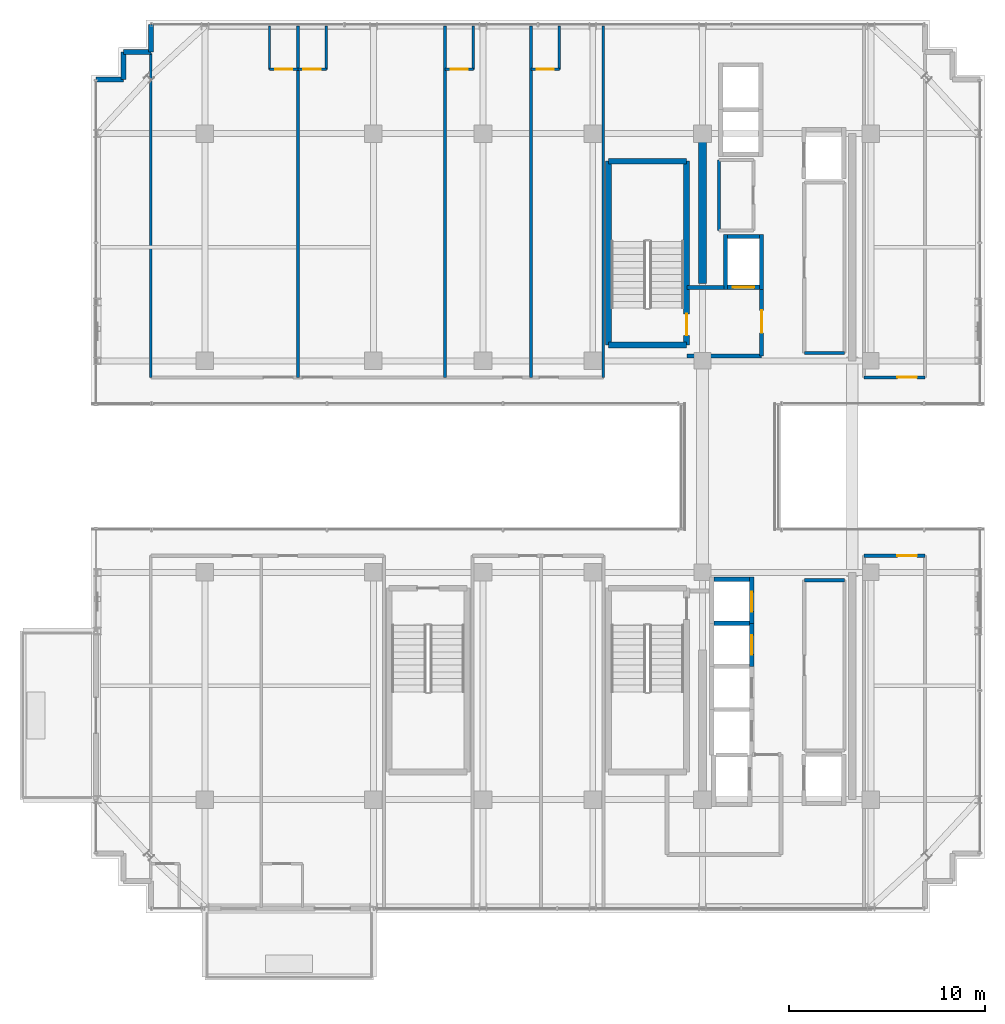
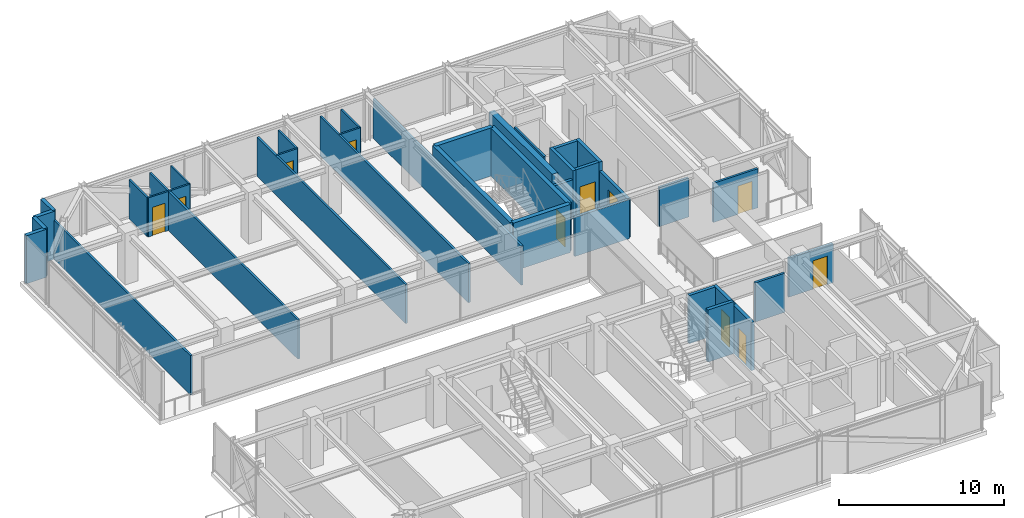
# One storey, part 32 of 37: 38 walls, 11 doors, 11 openings.
"""IFC4 building model written with IfcOpenShell, lengths in metres."""

from ifc_helpers import new_model, si_unit, direction, frame, frame_2d, origin, place, context, subcontext, project, spatial, rectangle, extrude, source, transform, mapped, material, layer, layer_set, type_object, element, fill, save


model = new_model("IFC4")

# Units and contexts
model_context = context("Model", 3, precision=1e-05, world=origin(), true_north=direction((0.0, 1.0)))
body_context = subcontext(model_context, "Body", "Model", "MODEL_VIEW")
ifc_project = project(units=[si_unit("LENGTHUNIT", "METRE"), si_unit("AREAUNIT", "SQUARE_METRE"), si_unit("VOLUMEUNIT", "CUBIC_METRE"), si_unit("PLANEANGLEUNIT", "RADIAN"), si_unit("MASSUNIT", "GRAM", prefix="KILO")], contexts=[model_context])

# Site, building, storey
site_placement = place(None, origin())
site = spatial("IfcSite", under=ifc_project, at=site_placement, CompositionType="ELEMENT")
building_placement = place(site_placement, origin())
building = spatial("IfcBuilding", under=site, at=building_placement, Name="Nahalor Promenade Grand Hotel", CompositionType="ELEMENT")
storey_placement = place(building_placement, frame((0.0, 0.0, 308.050048828125)))
storey = spatial("IfcBuildingStorey", under=building, at=storey_placement, Name="L79", CompositionType="ELEMENT", Elevation=308.050048828125)

# Walls
ifc_material_1 = material(Name="Concrete B-50 (C40/50)", Category="concrete")
ifc_layer_1 = layer(ifc_material_1, 0.39990234375)
ifc_layer_set_1 = layer_set([ifc_layer_1], Name="Concrete B-50 (C40/50)")
wall_type_1 = type_object("IfcWallType", Name="Wall-CoreShear-400", PredefinedType="SHEAR", material=ifc_layer_set_1)
shared_shape_1 = source(origin(), body_context, "Body", "SweptSolid", [
    extrude(rectangle(XDim=7.64990234375, YDim=0.39990234375, at=frame_2d((3.824951171875, 0.0))), origin(), (0.0, 0.0, 1.0), 3.550048828125),
])
wall_1_placement = place(storey_placement, frame((8.39990234375, 9.35009765625, 0.0), z_axis=(0.0, 0.0, 1.0), x_axis=(0.0, 1.0, 0.0)))
element("IfcWall", 1, at=wall_1_placement, inside=storey, type_object=wall_type_1, Name="CWALL-L79-NW", PredefinedType="SHEAR", context=body_context, shape_type="MappedRepresentation", body=[
    mapped(shared_shape_1, transform((0.0, 0.0, 0.0), scale=1.0)),
])
ifc_layer_2 = layer(ifc_material_1, 0.300048828125)
ifc_layer_set_2 = layer_set([ifc_layer_2], Name="Concrete B-50 (C40/50)")
wall_type_2 = type_object("IfcWallType", Name="Wall-ShaftShear-300", PredefinedType="SHEAR", material=ifc_layer_set_2)
shared_shape_2 = source(origin(), body_context, "Body", "SweptSolid", [
    extrude(rectangle(XDim=3.97998046875, YDim=0.300048828125, at=frame_2d((1.989990234375, 0.0))), origin(), (0.0, 0.0, 1.0), 3.550048828125),
])
for number, where, z_axis, x_axis, name in (
    (2, (3.610107421875, 6.2099609375, 0.0), (0.0, 0.0, 1.0), (1.0, 0.0, 0.0), "L79 Exit Stair ST1 Shaft Wall S"),
    (3, (3.610107421875, 15.590087890625, 0.0), (0.0, 0.0, 1.0), (1.0, 0.0, 0.0), "L79 Exit Stair ST1 Shaft Wall N"),
):
    element("IfcWall", number, at=place(storey_placement, frame(where, z_axis=z_axis, x_axis=x_axis)), inside=storey, type_object=wall_type_2, Name=name, PredefinedType="SHEAR", context=body_context, shape_type="MappedRepresentation", body=[
        mapped(shared_shape_2, transform((0.0, 0.0, 0.0), scale=1.0)),
    ])
shared_shape_3 = source(origin(), body_context, "Body", "SweptSolid", [
    extrude(rectangle(XDim=9.380126953125, YDim=0.300048828125, at=frame_2d((4.68994140625, 0.0))), origin(), (0.0, 0.0, 1.0), 3.550048828125),
])
wall_2_placement = place(storey_placement, frame((3.610107421875, 6.2099609375, 0.0), z_axis=(0.0, 0.0, 1.0), x_axis=(0.0, 1.0, 0.0)))
element("IfcWall", 4, at=wall_2_placement, inside=storey, type_object=wall_type_2, Name="L79 Exit Stair ST1 Shaft Wall W", PredefinedType="SHEAR", context=body_context, shape_type="MappedRepresentation", body=[
    mapped(shared_shape_3, transform((0.0, 0.0, 0.0), scale=1.0)),
])

# Wall, opening, door
wall_3_placement = place(storey_placement, frame((7.590087890625, 6.2099609375, 0.0), z_axis=(0.0, 0.0, 1.0), x_axis=(0.0, 1.0, 0.0)))
wall_3 = element("IfcWall", 5, at=wall_3_placement, inside=storey, type_object=wall_type_2, Name="L79 Exit Stair ST1 Shaft Wall E", PredefinedType="SHEAR", context=body_context, shape_type="MappedRepresentation", body=[
    mapped(shared_shape_3, transform((0.0, 0.0, 0.0), scale=1.0)),
])
opening_1_placement = place(wall_3_placement, frame((0.489990234375, 0.0, 0.0)))
opening_1 = element("IfcOpeningElement", 6, at=opening_1_placement, cuts=wall_3, Name="Opening D-ST1", PredefinedType="OPENING", context=body_context, shape_type="SweptSolid", body=[
    extrude(rectangle(XDim=1.10009765625, YDim=2.14990234375, at=frame_2d((0.550048828125, 1.074951171875))), frame((0.0, 0.159912109375, 0.0), z_axis=(0.0, -1.0, 0.0), x_axis=(1.0, 0.0, 0.0)), (0.0, 0.0, 1.0), 0.320068359375),
])
ifc_material_2 = material(Name="Steel S355JR", Category="steel")
door_type_1 = type_object("IfcDoorType", Name="Door-StairFire-1100", OperationType="NOTDEFINED", PredefinedType="DOOR", material=ifc_material_2)
shared_shape_4 = source(origin(), body_context, "Body", "SweptSolid", [
    extrude(rectangle(XDim=1.10009765625, YDim=2.14990234375, at=frame_2d((0.550048828125, 1.074951171875))), frame((0.0, 0.02490234375, 0.0), z_axis=(0.0, -1.0, 0.0), x_axis=(1.0, 0.0, 0.0)), (0.0, 0.0, 1.0), 0.050048828125),
])
door_1_placement = place(opening_1_placement, origin())
door_1 = element("IfcDoor", 7, at=door_1_placement, inside=storey, type_object=door_type_1, Name="DR-STAIR-ST1-L79", OperationType="SINGLE_SWING_RIGHT", OverallHeight=2.14990234375, OverallWidth=1.10009765625, PredefinedType="DOOR", context=body_context, shape_type="MappedRepresentation", body=[
    mapped(shared_shape_4, transform((0.0, 0.0, 0.0), scale=1.0)),
])
fill(opening_1, door_1)

ifc_layer_3 = layer(ifc_material_1, 0.219970703125)
ifc_layer_set_3 = layer_set([ifc_layer_3], Name="Concrete B-50 (C40/50)")
wall_type_3 = type_object("IfcWallType", Name="Wall-LiftShaft-220", PredefinedType="SHEAR", material=ifc_layer_set_3)
shared_shape_5 = source(origin(), body_context, "Body", "SweptSolid", [
    extrude(rectangle(XDim=2.360107421875, YDim=0.219970703125, at=frame_2d((1.18017578125, 0.0))), origin(), (0.0, 0.0, 1.0), 3.550048828125),
])
wall_4_placement = place(storey_placement, frame((10.919921875, -8.0, 0.0), z_axis=(0.0, 0.0, 1.0), x_axis=(0.0, 1.0, 0.0)))
wall_4 = element("IfcWall", 8, at=wall_4_placement, inside=storey, type_object=wall_type_3, Name="L79 Lift PL9 Hoistway Wall E", PredefinedType="SHEAR", context=body_context, shape_type="MappedRepresentation", body=[
    mapped(shared_shape_5, transform((0.0, 0.0, 0.0), scale=1.0)),
])
opening_2_placement = place(wall_4_placement, frame((0.60009765625, 0.0, 0.0)))
opening_2 = element("IfcOpeningElement", 9, at=opening_2_placement, cuts=wall_4, Name="Opening LD-01", PredefinedType="OPENING", context=body_context, shape_type="SweptSolid", body=[
    extrude(rectangle(XDim=1.0, YDim=2.199951171875, at=frame_2d((0.5, 1.10009765625))), frame((0.0, 0.119873046875, 0.0), z_axis=(0.0, -1.0, 0.0), x_axis=(1.0, 0.0, 0.0)), (0.0, 0.0, 1.0), 0.239990234375),
])
door_type_2 = type_object("IfcDoorType", Name="Door-LiftLanding-1000", OperationType="DOUBLE_DOOR_SLIDING", PredefinedType="DOOR", material=ifc_material_2)
shared_shape_6 = source(origin(), body_context, "Body", "SweptSolid", [
    extrude(rectangle(XDim=1.0, YDim=2.199951171875, at=frame_2d((0.5, 1.10009765625))), frame((0.0, 0.02490234375, 0.0), z_axis=(0.0, -1.0, 0.0), x_axis=(1.0, 0.0, 0.0)), (0.0, 0.0, 1.0), 0.050048828125),
])
door_2_placement = place(opening_2_placement, frame((1.0, 0.0, 0.0), z_axis=(0.0, 0.0, 1.0), x_axis=(-1.0, 0.0, 0.0)))
door_2 = element("IfcDoor", 10, at=door_2_placement, inside=storey, type_object=door_type_2, Name="DR-LIFT-PL9-L79", OperationType="DOUBLE_DOOR_SLIDING", OverallHeight=2.199951171875, OverallWidth=1.0, PredefinedType="DOOR", context=body_context, shape_type="MappedRepresentation", body=[
    mapped(shared_shape_6, transform((0.0, 0.0, 0.0), scale=1.0)),
])
fill(opening_2, door_2)

# Wall
shared_shape_7 = source(origin(), body_context, "Body", "SweptSolid", [
    extrude(rectangle(XDim=1.820068359375, YDim=0.219970703125, at=frame_2d((0.91015625, 0.0))), origin(), (0.0, 0.0, 1.0), 3.550048828125),
])
wall_5_placement = place(storey_placement, frame((8.989990234375, -5.75, 0.0), z_axis=(0.0, 0.0, 1.0), x_axis=(1.0, 0.0, 0.0)))
element("IfcWall", 11, at=wall_5_placement, inside=storey, type_object=wall_type_3, Name="L79 Lift PL9 Hoistway Wall N", PredefinedType="SHEAR", context=body_context, shape_type="MappedRepresentation", body=[
    mapped(shared_shape_7, transform((0.0, 0.0, 0.0), scale=1.0)),
])

# Wall, opening, door
shared_shape_8 = source(origin(), body_context, "Body", "SweptSolid", [
    extrude(rectangle(XDim=2.199951171875, YDim=0.219970703125, at=frame_2d((1.10009765625, 0.0))), origin(), (0.0, 0.0, 1.0), 3.550048828125),
])
wall_6_placement = place(storey_placement, frame((10.919921875, -10.199951171875, 0.0), z_axis=(0.0, 0.0, 1.0), x_axis=(0.0, 1.0, 0.0)))
wall_6 = element("IfcWall", 12, at=wall_6_placement, inside=storey, type_object=wall_type_3, Name="L79 Lift PL10 Hoistway Wall E", PredefinedType="SHEAR", context=body_context, shape_type="MappedRepresentation", body=[
    mapped(shared_shape_8, transform((0.0, 0.0, 0.0), scale=1.0)),
])
opening_3_placement = place(wall_6_placement, frame((0.60009765625, 0.0, 0.0)))
opening_3 = element("IfcOpeningElement", 13, at=opening_3_placement, cuts=wall_6, Name="Opening LD-01", PredefinedType="OPENING", context=body_context, shape_type="SweptSolid", body=[
    extrude(rectangle(XDim=1.0, YDim=2.199951171875, at=frame_2d((0.5, 1.10009765625))), frame((0.0, 0.119873046875, 0.0), z_axis=(0.0, -1.0, 0.0), x_axis=(1.0, 0.0, 0.0)), (0.0, 0.0, 1.0), 0.239990234375),
])
door_3_placement = place(opening_3_placement, frame((1.0, 0.0, 0.0), z_axis=(0.0, 0.0, 1.0), x_axis=(-1.0, 0.0, 0.0)))
door_3 = element("IfcDoor", 14, at=door_3_placement, inside=storey, type_object=door_type_2, Name="DR-LIFT-PL10-L79", OperationType="DOUBLE_DOOR_SLIDING", OverallHeight=2.199951171875, OverallWidth=1.0, PredefinedType="DOOR", context=body_context, shape_type="MappedRepresentation", body=[
    mapped(shared_shape_6, transform((0.0, 0.0, 0.0), scale=1.0)),
])
fill(opening_3, door_3)

# Walls
shared_shape_9 = source(origin(), body_context, "Body", "SweptSolid", [
    extrude(rectangle(XDim=1.820068359375, YDim=0.219970703125, at=frame_2d((0.91015625, 0.0))), origin(), (0.0, 0.0, 1.0), 3.849853515625),
])
wall_7_placement = place(storey_placement, frame((8.989990234375, -8.0, 0.0), z_axis=(0.0, 0.0, 1.0), x_axis=(1.0, 0.0, 0.0)))
element("IfcWall", 15, at=wall_7_placement, inside=storey, type_object=wall_type_3, Name="L79 Lift PL10 Hoistway Wall N", PredefinedType="SHEAR", context=body_context, shape_type="MappedRepresentation", body=[
    mapped(shared_shape_9, transform((0.0, 0.0, 0.0), scale=1.0)),
])
shared_shape_10 = source(origin(), body_context, "Body", "SweptSolid", [
    extrude(rectangle(XDim=2.820068359375, YDim=0.219970703125, at=frame_2d((1.41015625, 0.0))), origin(), (0.0, 0.0, 1.0), 3.550048828125),
])
for number, where, z_axis, x_axis, name in (
    (16, (9.580078125, 9.0400390625, 0.0), (0.0, 0.0, 1.0), (0.0, 1.0, 0.0), "L79 Lift FL1 Hoistway Wall W"),
    (17, (11.419921875, 9.0400390625, 0.0), (0.0, 0.0, 1.0), (0.0, 1.0, 0.0), "L79 Lift FL1 Hoistway Wall E"),
):
    element("IfcWall", number, at=place(storey_placement, frame(where, z_axis=z_axis, x_axis=x_axis)), inside=storey, type_object=wall_type_3, Name=name, PredefinedType="SHEAR", context=body_context, shape_type="MappedRepresentation", body=[
        mapped(shared_shape_10, transform((0.0, 0.0, 0.0), scale=1.0)),
    ])

# Wall, opening, door
shared_shape_11 = source(origin(), body_context, "Body", "SweptSolid", [
    extrude(rectangle(XDim=1.6201171875, YDim=0.219970703125, at=frame_2d((0.81005859375, 0.0))), origin(), (0.0, 0.0, 1.0), 3.550048828125),
])
wall_8_placement = place(storey_placement, frame((9.68994140625, 9.14990234375, 0.0), z_axis=(0.0, 0.0, 1.0), x_axis=(1.0, 0.0, 0.0)))
wall_8 = element("IfcWall", 18, at=wall_8_placement, inside=storey, type_object=wall_type_3, Name="L79 Lift FL1 Hoistway Wall S", PredefinedType="SHEAR", context=body_context, shape_type="MappedRepresentation", body=[
    mapped(shared_shape_11, transform((0.0, 0.0, 0.0), scale=1.0)),
])
opening_4_placement = place(wall_8_placement, frame((0.260009765625, 0.0, 0.0)))
opening_4 = element("IfcOpeningElement", 19, at=opening_4_placement, cuts=wall_8, Name="Opening LD-02", PredefinedType="OPENING", context=body_context, shape_type="SweptSolid", body=[
    extrude(rectangle(XDim=1.10009765625, YDim=2.199951171875, at=frame_2d((0.550048828125, 1.10009765625))), frame((0.0, 0.119873046875, 0.0), z_axis=(0.0, -1.0, 0.0), x_axis=(1.0, 0.0, 0.0)), (0.0, 0.0, 1.0), 0.239990234375),
])
door_type_3 = type_object("IfcDoorType", Name="Door-LiftFF-1100", OperationType="DOUBLE_DOOR_SLIDING", PredefinedType="DOOR", material=ifc_material_2)
shared_shape_12 = source(origin(), body_context, "Body", "SweptSolid", [
    extrude(rectangle(XDim=1.10009765625, YDim=2.199951171875, at=frame_2d((0.550048828125, 1.10009765625))), frame((0.0, 0.02490234375, 0.0), z_axis=(0.0, -1.0, 0.0), x_axis=(1.0, 0.0, 0.0)), (0.0, 0.0, 1.0), 0.050048828125),
])
door_4_placement = place(opening_4_placement, frame((1.10009765625, 0.0, 0.0), z_axis=(0.0, 0.0, 1.0), x_axis=(-1.0, 0.0, 0.0)))
door_4 = element("IfcDoor", 20, at=door_4_placement, inside=storey, type_object=door_type_3, Name="DR-LIFT-FL1-L79", OperationType="DOUBLE_DOOR_SLIDING", OverallHeight=2.199951171875, OverallWidth=1.10009765625, PredefinedType="DOOR", context=body_context, shape_type="MappedRepresentation", body=[
    mapped(shared_shape_12, transform((0.0, 0.0, 0.0), scale=1.0)),
])
fill(opening_4, door_4)

# Walls
wall_9_placement = place(storey_placement, frame((9.68994140625, 11.75, 0.0), z_axis=(0.0, 0.0, 1.0), x_axis=(1.0, 0.0, 0.0)))
element("IfcWall", 21, at=wall_9_placement, inside=storey, type_object=wall_type_3, Name="L79 Lift FL1 Hoistway Wall N", PredefinedType="SHEAR", context=body_context, shape_type="MappedRepresentation", body=[
    mapped(shared_shape_11, transform((0.0, 0.0, 0.0), scale=1.0)),
])
ifc_material_3 = material(Name="Concrete B-40 (C32/40)", Category="concrete")
ifc_layer_4 = layer(ifc_material_3, 0.25)
ifc_layer_set_4 = layer_set([ifc_layer_4], Name="Concrete B-40 (C32/40)")
wall_type_4 = type_object("IfcWallType", Name="Wall-BronzePier-250", PredefinedType="STANDARD", material=ifc_layer_set_4)
shared_shape_13 = source(origin(), body_context, "Body", "SweptSolid", [
    extrude(rectangle(XDim=1.400146484375, YDim=0.25, at=frame_2d((0.7001953125, 0.0))), origin(), (0.0, 0.0, 1.0), 3.550048828125),
])
for number, where, z_axis, x_axis, name in (
    (22, (-19.760009765625, 21.159912109375, 0.0), (0.0, 0.0, 1.0), (0.0, 1.0, 0.0), "W-L79-SR-09"),
    (23, (-22.56005859375, 19.760009765625, 0.0), (0.0, 0.0, 1.0), (1.0, 0.0, 0.0), "W-L79-SR-12"),
):
    element("IfcWall", number, at=place(storey_placement, frame(where, z_axis=z_axis, x_axis=x_axis)), inside=storey, type_object=wall_type_4, Name=name, PredefinedType="STANDARD", context=body_context, shape_type="MappedRepresentation", body=[
        mapped(shared_shape_13, transform((0.0, 0.0, 0.0), scale=1.0)),
    ])
shared_shape_14 = source(origin(), body_context, "Body", "SweptSolid", [
    extrude(rectangle(XDim=1.39990234375, YDim=0.25, at=frame_2d((0.699951171875, 0.0))), origin(), (0.0, 0.0, 1.0), 3.550048828125),
])
for number, where, z_axis, x_axis, name in (
    (24, (-21.159912109375, 21.159912109375, 0.0), (0.0, 0.0, 1.0), (1.0, 0.0, 0.0), "W-L79-SR-10"),
    (25, (-21.159912109375, 19.760009765625, 0.0), (0.0, 0.0, 1.0), (0.0, 1.0, 0.0), "W-L79-SR-11"),
):
    element("IfcWall", number, at=place(storey_placement, frame(where, z_axis=z_axis, x_axis=x_axis)), inside=storey, type_object=wall_type_4, Name=name, PredefinedType="STANDARD", context=body_context, shape_type="MappedRepresentation", body=[
        mapped(shared_shape_14, transform((0.0, 0.0, 0.0), scale=1.0)),
    ])
ifc_layer_5 = layer(ifc_material_3, 0.199951171875)
ifc_layer_set_5 = layer_set([ifc_layer_5], Name="Concrete B-40 (C32/40)")
wall_type_5 = type_object("IfcWallType", Name="Wall-PartFire-200", PredefinedType="PARTITIONING", material=ifc_layer_set_5)
shared_shape_15 = source(origin(), body_context, "Body", "SweptSolid", [
    extrude(rectangle(XDim=3.81982421875, YDim=0.199951171875, at=frame_2d((1.909912109375, 0.0))), origin(), (0.0, 0.0, 1.0), 2.889892578125),
])
wall_10_placement = place(storey_placement, frame((7.60009765625, 5.64990234375, 0.0), z_axis=(0.0, 0.0, 1.0), x_axis=(1.0, 0.0, 0.0)))
element("IfcWall", 26, at=wall_10_placement, inside=storey, type_object=wall_type_5, Name="W-L79-FF1-S", PredefinedType="PARTITIONING", context=body_context, shape_type="MappedRepresentation", body=[
    mapped(shared_shape_15, transform((0.0, 0.0, 0.0), scale=1.0)),
])
shared_shape_16 = source(origin(), body_context, "Body", "SweptSolid", [
    extrude(rectangle(XDim=1.89990234375, YDim=0.199951171875, at=frame_2d((0.949951171875, 0.0))), origin(), (0.0, 0.0, 1.0), 2.889892578125),
])
wall_11_placement = place(storey_placement, frame((7.60009765625, 9.14990234375, 0.0), z_axis=(0.0, 0.0, 1.0), x_axis=(1.0, 0.0, 0.0)))
element("IfcWall", 27, at=wall_11_placement, inside=storey, type_object=wall_type_5, Name="W-L79-FF1-N", PredefinedType="PARTITIONING", context=body_context, shape_type="MappedRepresentation", body=[
    mapped(shared_shape_16, transform((0.0, 0.0, 0.0), scale=1.0)),
])

# Wall, opening, door
shared_shape_17 = source(origin(), body_context, "Body", "SweptSolid", [
    extrude(rectangle(XDim=3.5, YDim=0.199951171875, at=frame_2d((1.75, 0.0))), origin(), (0.0, 0.0, 1.0), 2.889892578125),
])
wall_12_placement = place(storey_placement, frame((11.419921875, 5.64990234375, 0.0), z_axis=(0.0, 0.0, 1.0), x_axis=(0.0, 1.0, 0.0)))
wall_12 = element("IfcWall", 28, at=wall_12_placement, inside=storey, type_object=wall_type_5, Name="W-L79-FF1-E", PredefinedType="PARTITIONING", context=body_context, shape_type="MappedRepresentation", body=[
    mapped(shared_shape_17, transform((0.0, 0.0, 0.0), scale=1.0)),
])
opening_5_placement = place(wall_12_placement, frame((1.175048828125, 0.0, 0.0)))
opening_5 = element("IfcOpeningElement", 29, at=opening_5_placement, cuts=wall_12, Name="Opening D-FF1", PredefinedType="OPENING", context=body_context, shape_type="SweptSolid", body=[
    extrude(rectangle(XDim=1.14990234375, YDim=2.14990234375, at=frame_2d((0.574951171875, 1.074951171875))), frame((0.0, 0.10986328125, 0.0), z_axis=(0.0, -1.0, 0.0), x_axis=(1.0, 0.0, 0.0)), (0.0, 0.0, 1.0), 0.219970703125),
])
door_type_4 = type_object("IfcDoorType", Name="Door-FFLobby-1150", OperationType="NOTDEFINED", PredefinedType="DOOR", material=ifc_material_2)
shared_shape_18 = source(origin(), body_context, "Body", "SweptSolid", [
    extrude(rectangle(XDim=1.14990234375, YDim=2.14990234375, at=frame_2d((0.574951171875, 1.074951171875))), frame((0.0, 0.02490234375, 0.0), z_axis=(0.0, -1.0, 0.0), x_axis=(1.0, 0.0, 0.0)), (0.0, 0.0, 1.0), 0.050048828125),
])
door_5_placement = place(opening_5_placement, frame((1.14990234375, 0.0, 0.0), z_axis=(0.0, 0.0, 1.0), x_axis=(-1.0, 0.0, 0.0)))
door_5 = element("IfcDoor", 30, at=door_5_placement, inside=storey, type_object=door_type_4, Name="DR-L79-FFL1", OperationType="SINGLE_SWING_LEFT", OverallHeight=2.14990234375, OverallWidth=1.14990234375, PredefinedType="DOOR", context=body_context, shape_type="MappedRepresentation", body=[
    mapped(shared_shape_18, transform((0.0, 0.0, 0.0), scale=1.0)),
])
fill(opening_5, door_5)

# Walls
ifc_material_4 = material(Name="Acoustic Mineral Gypsum", Category="gypsum")
ifc_layer_6 = layer(ifc_material_4, 0.159912109375)
ifc_layer_set_6 = layer_set([ifc_layer_6], Name="Acoustic Mineral Gypsum")
wall_type_6 = type_object("IfcWallType", Name="Wall-PartCorridor-160", PredefinedType="PARTITIONING", material=ifc_layer_set_6)
shared_shape_19 = source(origin(), body_context, "Body", "SweptSolid", [
    extrude(rectangle(XDim=2.0498046875, YDim=0.159912109375, at=frame_2d((1.02490234375, 0.0))), origin(), (0.0, 0.0, 1.0), 2.889892578125),
])
for number, where, z_axis, x_axis, name in (
    (31, (13.60009765625, 5.800048828125, 0.0), (0.0, 0.0, 1.0), (1.0, 0.0, 0.0), "W-L79-FRB1-S"),
    (32, (13.60009765625, -5.800048828125, 0.0), (0.0, 0.0, 1.0), (1.0, 0.0, 0.0), "W-L79-FRB2-N"),
):
    element("IfcWall", number, at=place(storey_placement, frame(where, z_axis=z_axis, x_axis=x_axis)), inside=storey, type_object=wall_type_6, Name=name, PredefinedType="PARTITIONING", context=body_context, shape_type="MappedRepresentation", body=[
        mapped(shared_shape_19, transform((0.0, 0.0, 0.0), scale=1.0)),
    ])

# Wall, opening, door
shared_shape_20 = source(origin(), body_context, "Body", "SweptSolid", [
    extrude(rectangle(XDim=3.110107421875, YDim=0.159912109375, at=frame_2d((1.55517578125, 0.0))), origin(), (0.0, 0.0, 1.0), 2.889892578125),
])
wall_13_placement = place(storey_placement, frame((16.64990234375, 4.550048828125, 0.0), z_axis=(0.0, 0.0, 1.0), x_axis=(1.0, 0.0, 0.0)))
wall_13 = element("IfcWall", 33, at=wall_13_placement, inside=storey, type_object=wall_type_6, Name="W-L79-ENE-S", PredefinedType="PARTITIONING", context=body_context, shape_type="MappedRepresentation", body=[
    mapped(shared_shape_20, transform((0.0, 0.0, 0.0), scale=1.0)),
])
opening_6_placement = place(wall_13_placement, frame((1.700927734375, 0.0, 0.0)))
opening_6 = element("IfcOpeningElement", 34, at=opening_6_placement, cuts=wall_13, Name="Opening D-04", PredefinedType="OPENING", context=body_context, shape_type="SweptSolid", body=[
    extrude(rectangle(XDim=1.0, YDim=2.10009765625, at=frame_2d((0.5, 1.050048828125))), frame((0.0, 0.08984375, 0.0), z_axis=(0.0, -1.0, 0.0), x_axis=(1.0, 0.0, 0.0)), (0.0, 0.0, 1.0), 0.179931640625),
])
door_type_5 = type_object("IfcDoorType", Name="Door-ServiceFire-1000", OperationType="NOTDEFINED", PredefinedType="DOOR", material=ifc_material_2)
shared_shape_21 = source(origin(), body_context, "Body", "SweptSolid", [
    extrude(rectangle(XDim=1.0, YDim=2.10009765625, at=frame_2d((0.5, 1.050048828125))), frame((0.0, 0.02490234375, 0.0), z_axis=(0.0, -1.0, 0.0), x_axis=(1.0, 0.0, 0.0)), (0.0, 0.0, 1.0), 0.050048828125),
])
door_6_placement = place(opening_6_placement, origin())
door_6 = element("IfcDoor", 35, at=door_6_placement, inside=storey, type_object=door_type_5, Name="DR-L79-ENE", OperationType="SINGLE_SWING_RIGHT", OverallHeight=2.10009765625, OverallWidth=1.0, PredefinedType="DOOR", context=body_context, shape_type="MappedRepresentation", body=[
    mapped(shared_shape_21, transform((0.0, 0.0, 0.0), scale=1.0)),
])
fill(opening_6, door_6)

wall_14_placement = place(storey_placement, frame((16.64990234375, -4.550048828125, 0.0), z_axis=(0.0, 0.0, 1.0), x_axis=(1.0, 0.0, 0.0)))
wall_14 = element("IfcWall", 36, at=wall_14_placement, inside=storey, type_object=wall_type_6, Name="W-L79-ESE-N", PredefinedType="PARTITIONING", context=body_context, shape_type="MappedRepresentation", body=[
    mapped(shared_shape_20, transform((0.0, 0.0, 0.0), scale=1.0)),
])
opening_7_placement = place(wall_14_placement, frame((1.700927734375, 0.0, 0.0)))
opening_7 = element("IfcOpeningElement", 37, at=opening_7_placement, cuts=wall_14, Name="Opening D-04", PredefinedType="OPENING", context=body_context, shape_type="SweptSolid", body=[
    extrude(rectangle(XDim=1.0, YDim=2.10009765625, at=frame_2d((0.5, 1.050048828125))), frame((0.0, 0.08984375, 0.0), z_axis=(0.0, -1.0, 0.0), x_axis=(1.0, 0.0, 0.0)), (0.0, 0.0, 1.0), 0.179931640625),
])
door_7_placement = place(opening_7_placement, frame((1.0, 0.0, 0.0), z_axis=(0.0, 0.0, 1.0), x_axis=(-1.0, 0.0, 0.0)))
door_7 = element("IfcDoor", 38, at=door_7_placement, inside=storey, type_object=door_type_5, Name="DR-L79-ESE", OperationType="SINGLE_SWING_LEFT", OverallHeight=2.10009765625, OverallWidth=1.0, PredefinedType="DOOR", context=body_context, shape_type="MappedRepresentation", body=[
    mapped(shared_shape_21, transform((0.0, 0.0, 0.0), scale=1.0)),
])
fill(opening_7, door_7)

# Walls
ifc_layer_7 = layer(ifc_material_4, 0.139892578125)
ifc_layer_set_7 = layer_set([ifc_layer_7], Name="Acoustic Mineral Gypsum")
wall_type_7 = type_object("IfcWallType", Name="Wall-PartSuite-140", PredefinedType="PARTITIONING", material=ifc_layer_set_7)
shared_shape_22 = source(origin(), body_context, "Body", "SweptSolid", [
    extrude(rectangle(XDim=16.530029296875, YDim=0.139892578125, at=frame_2d((8.26513671875, 0.0))), origin(), (0.0, 0.0, 1.0), 2.889892578125),
])
wall_15_placement = place(storey_placement, frame((-19.760009765625, 4.550048828125, 0.0), z_axis=(0.0, 0.0, 1.0), x_axis=(0.0, 1.0, 0.0)))
element("IfcWall", 39, at=wall_15_placement, inside=storey, type_object=wall_type_7, Name="W-L79-NW-ENDW", PredefinedType="PARTITIONING", context=body_context, shape_type="MappedRepresentation", body=[
    mapped(shared_shape_22, transform((0.0, 0.0, 0.0), scale=1.0)),
])
shared_shape_23 = source(origin(), body_context, "Body", "SweptSolid", [
    extrude(rectangle(XDim=17.949951171875, YDim=0.139892578125, at=frame_2d((8.97509765625, 0.0))), origin(), (0.0, 0.0, 1.0), 2.889892578125),
])
for number, where, z_axis, x_axis, name in (
    (40, (3.340087890625, 4.550048828125, 0.0), (0.0, 0.0, 1.0), (0.0, 1.0, 0.0), "W-L79-NW-ENDE"),
    (41, (-12.2529296875, 4.550048828125, 0.0), (0.0, 0.0, 1.0), (0.0, 1.0, 0.0), "W-L79-NP-1"),
    (42, (-4.7451171875, 4.550048828125, 0.0), (0.0, 0.0, 1.0), (0.0, 1.0, 0.0), "W-L79-NP-2"),
    (43, (-0.35595703125, 4.550048828125, 0.0), (0.0, 0.0, 1.0), (0.0, 1.0, 0.0), "W-L79-NP-3"),
):
    element("IfcWall", number, at=place(storey_placement, frame(where, z_axis=z_axis, x_axis=x_axis)), inside=storey, type_object=wall_type_7, Name=name, PredefinedType="PARTITIONING", context=body_context, shape_type="MappedRepresentation", body=[
        mapped(shared_shape_23, transform((0.0, 0.0, 0.0), scale=1.0)),
    ])

# Wall, opening, door
ifc_layer_8 = layer(ifc_material_4, 0.1201171875)
ifc_layer_set_8 = layer_set([ifc_layer_8], Name="Acoustic Mineral Gypsum")
wall_type_8 = type_object("IfcWallType", Name="Wall-PartBath-120", PredefinedType="PARTITIONING", material=ifc_layer_set_8)
shared_shape_24 = source(origin(), body_context, "Body", "SweptSolid", [
    extrude(rectangle(XDim=1.449951171875, YDim=0.1201171875, at=frame_2d((0.72509765625, 0.0))), origin(), (0.0, 0.0, 1.0), 2.889892578125),
])
wall_16_placement = place(storey_placement, frame((-13.702880859375, 20.280029296875, 0.0), z_axis=(0.0, 0.0, 1.0), x_axis=(1.0, 0.0, 0.0)))
wall_16 = element("IfcWall", 44, at=wall_16_placement, inside=storey, type_object=wall_type_8, Name="W-L79-N1-BH", PredefinedType="PARTITIONING", context=body_context, shape_type="MappedRepresentation", body=[
    mapped(shared_shape_24, transform((0.0, 0.0, 0.0), scale=1.0)),
])
opening_8_placement = place(wall_16_placement, frame((0.284912109375, 0.0, 0.0)))
opening_8 = element("IfcOpeningElement", 45, at=opening_8_placement, cuts=wall_16, Name="Opening D-03", PredefinedType="OPENING", context=body_context, shape_type="SweptSolid", body=[
    extrude(rectangle(XDim=0.8798828125, YDim=2.10009765625, at=frame_2d((0.43994140625, 1.050048828125))), frame((0.0, 0.070068359375, 0.0), z_axis=(0.0, -1.0, 0.0), x_axis=(1.0, 0.0, 0.0)), (0.0, 0.0, 1.0), 0.14013671875),
])
ifc_material_5 = material(Name="Fire-Rated Timber Composite", Category="wood")
door_type_6 = type_object("IfcDoorType", Name="Door-BathSwing-880", OperationType="NOTDEFINED", PredefinedType="DOOR", material=ifc_material_5)
shared_shape_25 = source(origin(), body_context, "Body", "SweptSolid", [
    extrude(rectangle(XDim=0.8798828125, YDim=2.10009765625, at=frame_2d((0.43994140625, 1.050048828125))), frame((0.0, 0.02490234375, 0.0), z_axis=(0.0, -1.0, 0.0), x_axis=(1.0, 0.0, 0.0)), (0.0, 0.0, 1.0), 0.050048828125),
])
door_8_placement = place(opening_8_placement, origin())
door_8 = element("IfcDoor", 46, at=door_8_placement, inside=storey, type_object=door_type_6, Name="DR-L79-N1-BATH", OperationType="SINGLE_SWING_RIGHT", OverallHeight=2.10009765625, OverallWidth=0.8798828125, PredefinedType="DOOR", context=body_context, shape_type="MappedRepresentation", body=[
    mapped(shared_shape_25, transform((0.0, 0.0, 0.0), scale=1.0)),
])
fill(opening_8, door_8)

wall_17_placement = place(storey_placement, frame((-12.2529296875, 20.280029296875, 0.0), z_axis=(0.0, 0.0, 1.0), x_axis=(1.0, 0.0, 0.0)))
wall_17 = element("IfcWall", 47, at=wall_17_placement, inside=storey, type_object=wall_type_8, Name="W-L79-N2-BH", PredefinedType="PARTITIONING", context=body_context, shape_type="MappedRepresentation", body=[
    mapped(shared_shape_24, transform((0.0, 0.0, 0.0), scale=1.0)),
])
opening_9_placement = place(wall_17_placement, frame((0.284912109375, 0.0, 0.0)))
opening_9 = element("IfcOpeningElement", 48, at=opening_9_placement, cuts=wall_17, Name="Opening D-03", PredefinedType="OPENING", context=body_context, shape_type="SweptSolid", body=[
    extrude(rectangle(XDim=0.8798828125, YDim=2.10009765625, at=frame_2d((0.43994140625, 1.050048828125))), frame((0.0, 0.070068359375, 0.0), z_axis=(0.0, -1.0, 0.0), x_axis=(1.0, 0.0, 0.0)), (0.0, 0.0, 1.0), 0.14013671875),
])
door_9_placement = place(opening_9_placement, origin())
door_9 = element("IfcDoor", 49, at=door_9_placement, inside=storey, type_object=door_type_6, Name="DR-L79-N2-BATH", OperationType="SINGLE_SWING_LEFT", OverallHeight=2.10009765625, OverallWidth=0.8798828125, PredefinedType="DOOR", context=body_context, shape_type="MappedRepresentation", body=[
    mapped(shared_shape_25, transform((0.0, 0.0, 0.0), scale=1.0)),
])
fill(opening_9, door_9)

wall_18_placement = place(storey_placement, frame((-0.35595703125, 20.280029296875, 0.0), z_axis=(0.0, 0.0, 1.0), x_axis=(1.0, 0.0, 0.0)))
wall_18 = element("IfcWall", 50, at=wall_18_placement, inside=storey, type_object=wall_type_8, Name="W-L79-N4-BH", PredefinedType="PARTITIONING", context=body_context, shape_type="MappedRepresentation", body=[
    mapped(shared_shape_24, transform((0.0, 0.0, 0.0), scale=1.0)),
])
opening_10_placement = place(wall_18_placement, frame((0.284912109375, 0.0, 0.0)))
opening_10 = element("IfcOpeningElement", 51, at=opening_10_placement, cuts=wall_18, Name="Opening D-03", PredefinedType="OPENING", context=body_context, shape_type="SweptSolid", body=[
    extrude(rectangle(XDim=0.8798828125, YDim=2.10009765625, at=frame_2d((0.43994140625, 1.050048828125))), frame((0.0, 0.070068359375, 0.0), z_axis=(0.0, -1.0, 0.0), x_axis=(1.0, 0.0, 0.0)), (0.0, 0.0, 1.0), 0.14013671875),
])
door_10_placement = place(opening_10_placement, origin())
door_10 = element("IfcDoor", 52, at=door_10_placement, inside=storey, type_object=door_type_6, Name="DR-L79-N4-BATH", OperationType="SINGLE_SWING_RIGHT", OverallHeight=2.10009765625, OverallWidth=0.8798828125, PredefinedType="DOOR", context=body_context, shape_type="MappedRepresentation", body=[
    mapped(shared_shape_25, transform((0.0, 0.0, 0.0), scale=1.0)),
])
fill(opening_10, door_10)

# Walls
shared_shape_26 = source(origin(), body_context, "Body", "SweptSolid", [
    extrude(rectangle(XDim=2.219970703125, YDim=0.1201171875, at=frame_2d((1.10986328125, 0.0))), origin(), (0.0, 0.0, 1.0), 2.889892578125),
])
for number, where, z_axis, x_axis, name in (
    (53, (-13.702880859375, 20.280029296875, 0.0), (0.0, 0.0, 1.0), (0.0, 1.0, 0.0), "W-L79-N1-BV"),
    (54, (-10.802978515625, 20.280029296875, 0.0), (0.0, 0.0, 1.0), (0.0, 1.0, 0.0), "W-L79-N2-BV"),
    (55, (-3.294921875, 20.280029296875, 0.0), (0.0, 0.0, 1.0), (0.0, 1.0, 0.0), "W-L79-N3-BV"),
    (56, (1.093994140625, 20.280029296875, 0.0), (0.0, 0.0, 1.0), (0.0, 1.0, 0.0), "W-L79-N4-BV"),
):
    element("IfcWall", number, at=place(storey_placement, frame(where, z_axis=z_axis, x_axis=x_axis)), inside=storey, type_object=wall_type_8, Name=name, PredefinedType="PARTITIONING", context=body_context, shape_type="MappedRepresentation", body=[
        mapped(shared_shape_26, transform((0.0, 0.0, 0.0), scale=1.0)),
    ])
ifc_layer_9 = layer(ifc_material_4, 0.14990234375)
ifc_layer_set_9 = layer_set([ifc_layer_9], Name="Acoustic Mineral Gypsum")
wall_type_9 = type_object("IfcWallType", Name="Wall-PartService-150", PredefinedType="PARTITIONING", material=ifc_layer_set_9)
shared_shape_27 = source(origin(), body_context, "Body", "SweptSolid", [
    extrude(rectangle(XDim=3.599853515625, YDim=0.14990234375, at=frame_2d((1.7998046875, 0.0))), origin(), (0.0, 0.0, 1.0), 2.889892578125),
])
wall_19_placement = place(storey_placement, frame((9.25, 12.050048828125, 0.0), z_axis=(0.0, 0.0, 1.0), x_axis=(0.0, 1.0, 0.0)))
element("IfcWall", 57, at=wall_19_placement, inside=storey, type_object=wall_type_9, Name="W-L79-CK1A-W", PredefinedType="PARTITIONING", context=body_context, shape_type="MappedRepresentation", body=[
    mapped(shared_shape_27, transform((0.0, 0.0, 0.0), scale=1.0)),
])

# Wall, opening, door
shared_shape_28 = source(origin(), body_context, "Body", "SweptSolid", [
    extrude(rectangle(XDim=1.4501953125, YDim=0.1201171875, at=frame_2d((0.72509765625, 0.0))), origin(), (0.0, 0.0, 1.0), 2.889892578125),
])
wall_20_placement = place(storey_placement, frame((-4.7451171875, 20.280029296875, 0.0), z_axis=(0.0, 0.0, 1.0), x_axis=(1.0, 0.0, 0.0)))
wall_20 = element("IfcWall", 58, at=wall_20_placement, inside=storey, type_object=wall_type_8, Name="W-L79-N3-BH", PredefinedType="PARTITIONING", context=body_context, shape_type="MappedRepresentation", body=[
    mapped(shared_shape_28, transform((0.0, 0.0, 0.0), scale=1.0)),
])
opening_11_placement = place(wall_20_placement, frame((0.284912109375, 0.0, 0.0)))
opening_11 = element("IfcOpeningElement", 59, at=opening_11_placement, cuts=wall_20, Name="Opening D-03", PredefinedType="OPENING", context=body_context, shape_type="SweptSolid", body=[
    extrude(rectangle(XDim=0.8798828125, YDim=2.10009765625, at=frame_2d((0.43994140625, 1.050048828125))), frame((0.0, 0.070068359375, 0.0), z_axis=(0.0, -1.0, 0.0), x_axis=(1.0, 0.0, 0.0)), (0.0, 0.0, 1.0), 0.14013671875),
])
door_11_placement = place(opening_11_placement, origin())
door_11 = element("IfcDoor", 60, at=door_11_placement, inside=storey, type_object=door_type_6, Name="DR-L79-N3-BATH", OperationType="SINGLE_SWING_RIGHT", OverallHeight=2.10009765625, OverallWidth=0.8798828125, PredefinedType="DOOR", context=body_context, shape_type="MappedRepresentation", body=[
    mapped(shared_shape_25, transform((0.0, 0.0, 0.0), scale=1.0)),
])
fill(opening_11, door_11)

save(model, "model.ifc")
